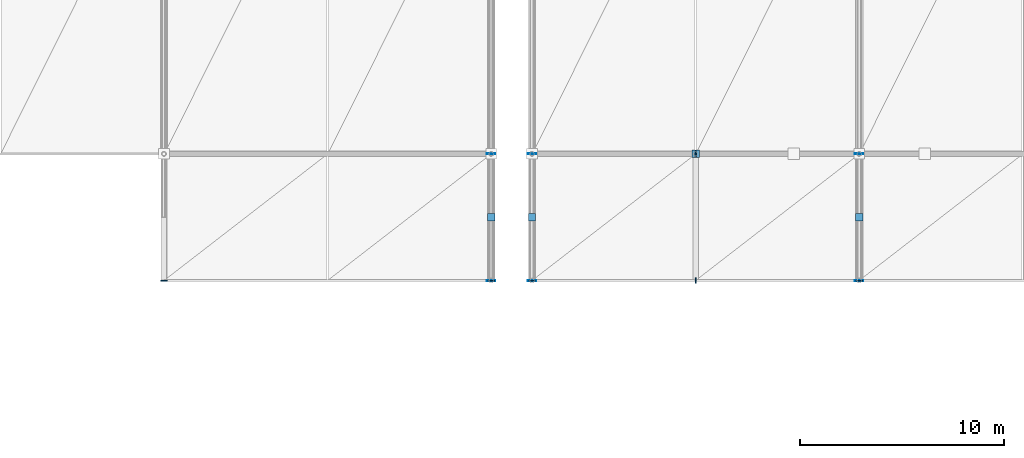
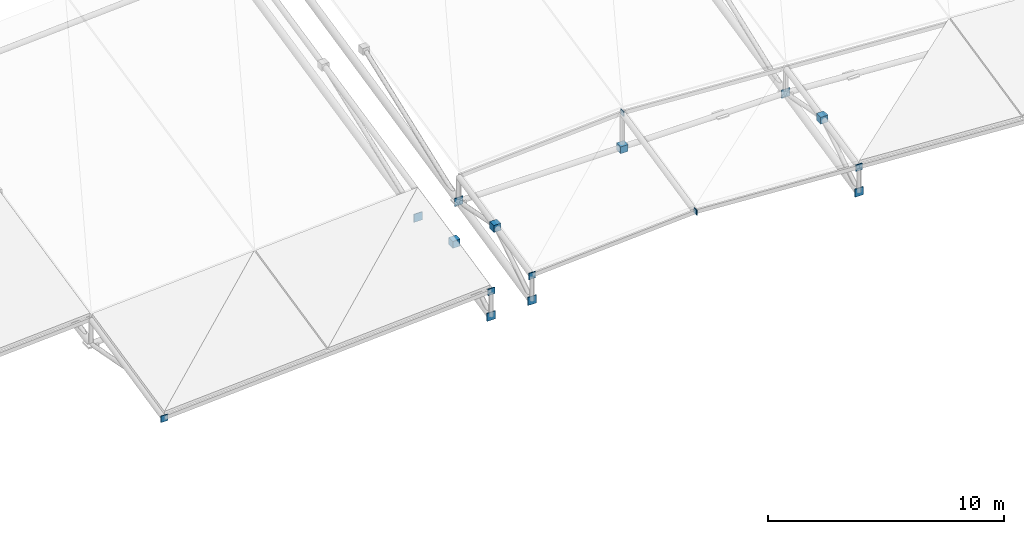
# One storey, part 50 of 67: 16 discrete accessories.
"""IFC4 building model written with IfcOpenShell, lengths in metres."""

from ifc_helpers import new_model, si_unit, direction, frame, origin, origin_2d, place, context, subcontext, project, spatial, rectangle, extrude, material, type_object, element, save


model = new_model("IFC4")

# Units and contexts
model_context = context("Model", 3, precision=1e-05, world=origin(), true_north=direction((0.0, 1.0)))
body_context = subcontext(model_context, "Body", "Model", "MODEL_VIEW")
ifc_project = project(units=[si_unit("LENGTHUNIT", "METRE"), si_unit("AREAUNIT", "SQUARE_METRE"), si_unit("VOLUMEUNIT", "CUBIC_METRE"), si_unit("PLANEANGLEUNIT", "RADIAN"), si_unit("MASSUNIT", "GRAM", prefix="KILO")], contexts=[model_context])

# Site, building, storey
site_placement = place(None, origin())
site = spatial("IfcSite", under=ifc_project, at=site_placement, CompositionType="ELEMENT")
building_placement = place(site_placement, origin())
building = spatial("IfcBuilding", under=site, at=building_placement, Name="Drelvath Fold Interchange", CompositionType="ELEMENT")
storey_placement = place(building_placement, frame((0.0, 0.0, 15.60009765625)))
storey = spatial("IfcBuildingStorey", under=building, at=storey_placement, Name="L03", CompositionType="ELEMENT", Elevation=15.60009765625)

# Discrete accessories
ifc_material = material(Name="Steel ASTM A572 Grade 50", Category="steel")
discrete_accessory_type = type_object("IfcDiscreteAccessoryType", Name="AC-CAP380", PredefinedType="BRACKET", material=ifc_material)
discrete_accessory_1_placement = place(storey_placement, frame((84.0, 20.794921875, -0.194580078125), z_axis=(0.0, 0.0, 1.0), x_axis=(1.0, 0.0, 0.0)))
element("IfcDiscreteAccessory", 1, at=discrete_accessory_1_placement, inside=storey, type_object=discrete_accessory_type, Name="Welded hollow member end cap 162", PredefinedType="BRACKET", context=body_context, shape_type="SweptSolid", body=[
    extrude(rectangle(XDim=0.3330078125, YDim=0.0400390625, at=origin_2d()), origin(), (0.0, 0.0, 1.0), 0.3330078125),
])
for number, where, z_axis, x_axis, name in (
    (2, (100.0, 20.794921875, -0.544189453125), (0.0, 0.0, 1.0), (1.0, 0.0, 0.0), "Welded hollow member end cap 171"),
    (3, (100.0, 27.0048828125, 0.809814453125), (0.0, 0.0, 1.0), (1.0, 0.0, 0.0), "Welded hollow member end cap 172"),
):
    element("IfcDiscreteAccessory", number, at=place(storey_placement, frame(where, z_axis=z_axis, x_axis=x_axis)), inside=storey, type_object=discrete_accessory_type, Name=name, PredefinedType="BRACKET", context=body_context, shape_type="SweptSolid", body=[
        extrude(rectangle(XDim=0.416015625, YDim=0.0400390625, at=origin_2d()), origin(), (0.0, 0.0, 1.0), 0.416015625),
    ])
discrete_accessory_2_placement = place(storey_placement, frame((100.0, 20.794921875, 0.767333984375), z_axis=(0.0, 0.0, 1.0), x_axis=(1.0, 0.0, 0.0)))
element("IfcDiscreteAccessory", 4, at=discrete_accessory_2_placement, inside=storey, type_object=discrete_accessory_type, Name="Welded hollow member end cap 173", PredefinedType="BRACKET", context=body_context, shape_type="SweptSolid", body=[
    extrude(rectangle(XDim=0.3330078125, YDim=0.0400390625, at=origin_2d()), origin(), (0.0, 0.0, 1.0), 0.3330078125),
])
discrete_accessory_3_placement = place(storey_placement, frame((100.0, 23.904052734375, 1.4345703125), z_axis=(0.0, 0.0, 1.0), x_axis=(1.0, 0.0, 0.0)))
element("IfcDiscreteAccessory", 5, at=discrete_accessory_3_placement, inside=storey, type_object=discrete_accessory_type, Name="Welded hollow member end cap 174", PredefinedType="BRACKET", context=body_context, shape_type="SweptSolid", body=[
    extrude(rectangle(XDim=0.35888671875, YDim=0.35888671875, at=origin_2d()), origin(), (0.0, 0.0, 1.0), 0.35888671875),
])
for number, where, z_axis, x_axis, name in (
    (6, (102.0, 20.794921875, -0.424072265625), (0.0, 0.0, 1.0), (1.0, 0.0, 0.0), "Welded hollow member end cap 182"),
    (7, (102.0, 27.0048828125, 0.929931640625), (0.0, 0.0, 1.0), (1.0, 0.0, 0.0), "Welded hollow member end cap 183"),
):
    element("IfcDiscreteAccessory", number, at=place(storey_placement, frame(where, z_axis=z_axis, x_axis=x_axis)), inside=storey, type_object=discrete_accessory_type, Name=name, PredefinedType="BRACKET", context=body_context, shape_type="SweptSolid", body=[
        extrude(rectangle(XDim=0.416015625, YDim=0.0400390625, at=origin_2d()), origin(), (0.0, 0.0, 1.0), 0.416015625),
    ])
discrete_accessory_4_placement = place(storey_placement, frame((102.0, 20.794921875, 0.887451171875), z_axis=(0.0, 0.0, 1.0), x_axis=(1.0, 0.0, 0.0)))
element("IfcDiscreteAccessory", 8, at=discrete_accessory_4_placement, inside=storey, type_object=discrete_accessory_type, Name="Welded hollow member end cap 184", PredefinedType="BRACKET", context=body_context, shape_type="SweptSolid", body=[
    extrude(rectangle(XDim=0.3330078125, YDim=0.0400390625, at=origin_2d()), origin(), (0.0, 0.0, 1.0), 0.3330078125),
])
discrete_accessory_5_placement = place(storey_placement, frame((102.0, 23.904052734375, 1.554443359375), z_axis=(0.0, 0.0, 1.0), x_axis=(1.0, 0.0, 0.0)))
element("IfcDiscreteAccessory", 9, at=discrete_accessory_5_placement, inside=storey, type_object=discrete_accessory_type, Name="Welded hollow member end cap 185", PredefinedType="BRACKET", context=body_context, shape_type="SweptSolid", body=[
    extrude(rectangle(XDim=0.35888671875, YDim=0.35888671875, at=origin_2d()), origin(), (0.0, 0.0, 1.0), 0.35888671875),
])
for number, where, z_axis, x_axis, name in (
    (10, (118.0, 20.794921875, -0.424072265625), (0.0, 0.0, 1.0), (1.0, 0.0, 0.0), "Welded hollow member end cap 198"),
    (11, (118.0, 27.0048828125, 0.929931640625), (0.0, 0.0, 1.0), (1.0, 0.0, 0.0), "Welded hollow member end cap 199"),
):
    element("IfcDiscreteAccessory", number, at=place(storey_placement, frame(where, z_axis=z_axis, x_axis=x_axis)), inside=storey, type_object=discrete_accessory_type, Name=name, PredefinedType="BRACKET", context=body_context, shape_type="SweptSolid", body=[
        extrude(rectangle(XDim=0.416015625, YDim=0.0400390625, at=origin_2d()), origin(), (0.0, 0.0, 1.0), 0.416015625),
    ])
discrete_accessory_6_placement = place(storey_placement, frame((118.0, 20.794921875, 0.887451171875), z_axis=(0.0, 0.0, 1.0), x_axis=(1.0, 0.0, 0.0)))
element("IfcDiscreteAccessory", 12, at=discrete_accessory_6_placement, inside=storey, type_object=discrete_accessory_type, Name="Welded hollow member end cap 200", PredefinedType="BRACKET", context=body_context, shape_type="SweptSolid", body=[
    extrude(rectangle(XDim=0.3330078125, YDim=0.0400390625, at=origin_2d()), origin(), (0.0, 0.0, 1.0), 0.3330078125),
])
discrete_accessory_7_placement = place(storey_placement, frame((118.0, 23.904052734375, 1.554443359375), z_axis=(0.0, 0.0, 1.0), x_axis=(1.0, 0.0, 0.0)))
element("IfcDiscreteAccessory", 13, at=discrete_accessory_7_placement, inside=storey, type_object=discrete_accessory_type, Name="Welded hollow member end cap 201", PredefinedType="BRACKET", context=body_context, shape_type="SweptSolid", body=[
    extrude(rectangle(XDim=0.35888671875, YDim=0.35888671875, at=origin_2d()), origin(), (0.0, 0.0, 1.0), 0.35888671875),
])
for number, where, z_axis, x_axis, name in (
    (14, (110.0048828125, 20.800048828125, 1.4365234375), (0.0, 0.0, 1.0), (1.0, 0.0, 0.0), "Welded hollow member end cap 278"),
    (15, (110.0048828125, 27.0, 2.78857421875), (0.0, 0.0, 1.0), (1.0, 0.0, 0.0), "Welded hollow member end cap 279"),
):
    element("IfcDiscreteAccessory", number, at=place(storey_placement, frame(where, z_axis=z_axis, x_axis=x_axis)), inside=storey, type_object=discrete_accessory_type, Name=name, PredefinedType="BRACKET", context=body_context, shape_type="SweptSolid", body=[
        extrude(rectangle(XDim=0.0400390625, YDim=0.262939453125, at=origin_2d()), origin(), (0.0, 0.0, 1.0), 0.262939453125),
    ])
discrete_accessory_8_placement = place(storey_placement, frame((110.0, 27.0, 0.952392578125), z_axis=(0.0, 0.0, 1.0), x_axis=(1.0, 0.0, 0.0)))
element("IfcDiscreteAccessory", 16, at=discrete_accessory_8_placement, inside=storey, type_object=discrete_accessory_type, Name="Welded hollow member end cap 285", PredefinedType="BRACKET", context=body_context, shape_type="SweptSolid", body=[
    extrude(rectangle(XDim=0.35888671875, YDim=0.35888671875, at=origin_2d()), origin(), (0.0, 0.0, 1.0), 0.35888671875),
])

save(model, "model.ifc")
